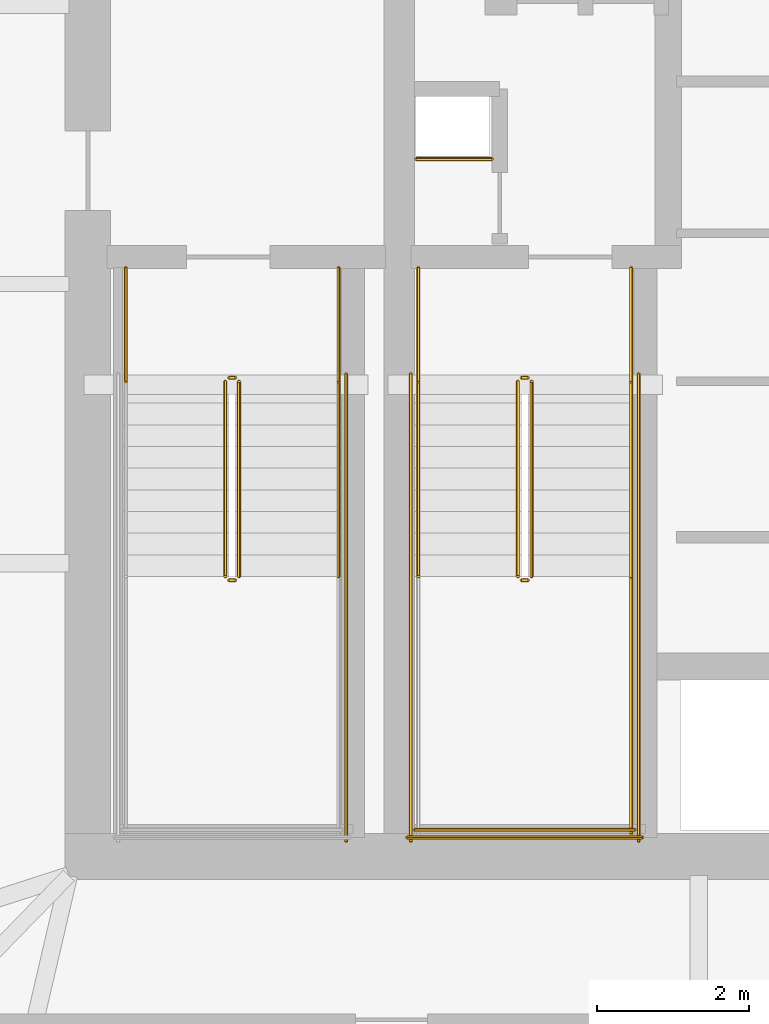
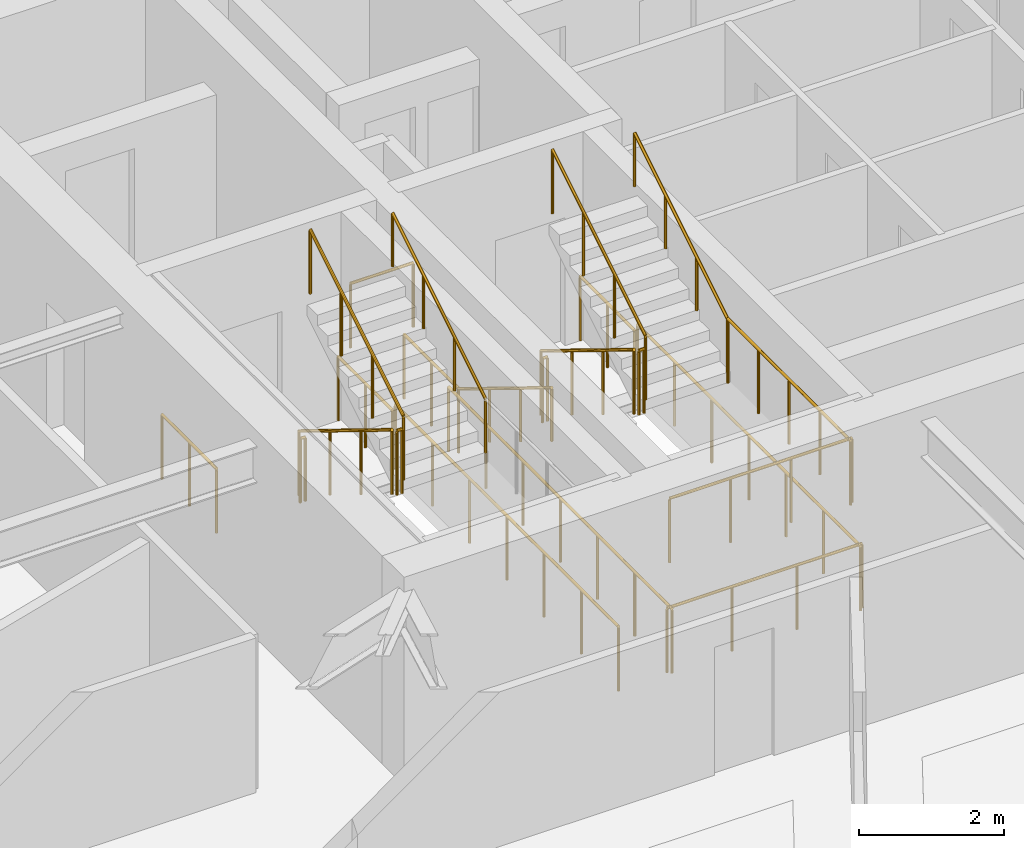
# One storey, part 27 of 30: 22 railings.
"""IFC4 building model written with IfcOpenShell, lengths in metres."""

from ifc_helpers import new_model, si_unit, direction, frame, origin, origin_2d, place, context, subcontext, project, spatial, circle, extrude, material, type_object, element, save


model = new_model("IFC4")

# Units and contexts
model_context = context("Model", 3, precision=1e-05, world=origin(), true_north=direction((0.0, 1.0)))
body_context = subcontext(model_context, "Body", "Model", "MODEL_VIEW")
ifc_project = project(units=[si_unit("LENGTHUNIT", "METRE"), si_unit("AREAUNIT", "SQUARE_METRE"), si_unit("VOLUMEUNIT", "CUBIC_METRE"), si_unit("PLANEANGLEUNIT", "RADIAN"), si_unit("MASSUNIT", "GRAM", prefix="KILO")], contexts=[model_context])

# Site, building, storey
site_placement = place(None, origin())
site = spatial("IfcSite", under=ifc_project, at=site_placement, CompositionType="ELEMENT")
building_placement = place(site_placement, origin())
building = spatial("IfcBuilding", under=site, at=building_placement, Name="Bramvorn Convention Spire", CompositionType="ELEMENT")
storey_placement = place(building_placement, frame((0.0, 0.0, 90.39990234375)))
storey = spatial("IfcBuildingStorey", under=building, at=storey_placement, Name="L21", CompositionType="ELEMENT", Elevation=90.39990234375)

# Railings
ifc_material_1 = material(Name="Painted Steel Balustrade & Guardrail", Category="steel")
railing_type_1 = type_object("IfcRailingType", Name="RL-STAIR-GUARD-1100", PredefinedType="GUARDRAIL", material=ifc_material_1)
railing_1_placement = place(storey_placement, frame((28.81005859375, 25.050048828125, 0.175048828125)))
element("IfcRailing", 1, at=railing_1_placement, inside=storey, type_object=railing_type_1, Name="L21 ST1 stair guard 1", PredefinedType="GUARDRAIL", context=body_context, shape_type="SweptSolid", body=[
    extrude(circle(Radius=0.02392578125, at=origin_2d()), frame((0.0, 0.0, 1.076171875), z_axis=(0.0, -0.852173129349, 0.523259933127), x_axis=(1.0, 0.0, 0.0)), (0.0, 0.0, 1.0), 3.009765625),
    extrude(circle(Radius=0.02099609375, at=origin_2d()), origin(), (0.0, 0.0, 1.0), 1.052001953125),
    extrude(circle(Radius=0.02099609375, at=origin_2d()), frame((0.0, -0.85498046875, 0.52490234375)), (0.0, 0.0, 1.0), 1.052001953125),
    extrude(circle(Radius=0.02099609375, at=origin_2d()), frame((0.0, -1.7099609375, 1.050048828125)), (0.0, 0.0, 1.0), 1.052001953125),
    extrude(circle(Radius=0.02099609375, at=origin_2d()), frame((0.0, -2.56494140625, 1.574951171875)), (0.0, 0.0, 1.0), 1.052001953125),
])
railing_2_placement = place(storey_placement, frame((28.860107421875, 22.43505859375, 1.75)))
element("IfcRailing", 2, at=railing_2_placement, inside=storey, type_object=railing_type_1, Name="L21 ST1 stair guard 2", PredefinedType="GUARDRAIL", context=body_context, shape_type="SweptSolid", body=[
    extrude(circle(Radius=0.02392578125, at=origin_2d()), frame((0.0, 0.0, 1.076171875), z_axis=(1.0, 0.0, 0.0), x_axis=(0.0, 1.0, 0.0)), (0.0, 0.0, 1.0), 0.079833984375),
    extrude(circle(Radius=0.02099609375, at=origin_2d()), origin(), (0.0, 0.0, 1.0), 1.052001953125),
    extrude(circle(Radius=0.02099609375, at=origin_2d()), frame((0.079833984375, 0.0, 0.0)), (0.0, 0.0, 1.0), 1.052001953125),
])
railing_3_placement = place(storey_placement, frame((28.989990234375, 22.485107421875, 1.925048828125)))
element("IfcRailing", 3, at=railing_3_placement, inside=storey, type_object=railing_type_1, Name="L21 ST1 stair guard 6", PredefinedType="GUARDRAIL", context=body_context, shape_type="SweptSolid", body=[
    extrude(circle(Radius=0.02392578125, at=origin_2d()), frame((0.0, 0.0, 1.076171875), z_axis=(0.0, 0.852173129349, 0.523259933127), x_axis=(-1.0, 0.0, 0.0)), (0.0, 0.0, 1.0), 3.009765625),
    extrude(circle(Radius=0.02099609375, at=origin_2d()), origin(), (0.0, 0.0, 1.0), 1.052001953125),
    extrude(circle(Radius=0.02099609375, at=origin_2d()), frame((0.0, 0.85498046875, 0.52490234375)), (0.0, 0.0, 1.0), 1.052001953125),
    extrude(circle(Radius=0.02099609375, at=origin_2d()), frame((0.0, 1.7099609375, 1.050048828125)), (0.0, 0.0, 1.0), 1.052001953125),
    extrude(circle(Radius=0.02099609375, at=origin_2d()), frame((0.0, 2.56494140625, 1.574951171875)), (0.0, 0.0, 1.0), 1.052001953125),
])
railing_4_placement = place(storey_placement, frame((28.860107421875, 25.10009765625, 0.0)))
element("IfcRailing", 4, at=railing_4_placement, inside=storey, type_object=railing_type_1, Name="L21 ST1 stair guard 7", PredefinedType="GUARDRAIL", context=body_context, shape_type="SweptSolid", body=[
    extrude(circle(Radius=0.02392578125, at=origin_2d()), frame((0.0, 0.0, 1.076171875), z_axis=(1.0, 0.0, 0.0), x_axis=(0.0, 1.0, 0.0)), (0.0, 0.0, 1.0), 0.079833984375),
    extrude(circle(Radius=0.02099609375, at=origin_2d()), origin(), (0.0, 0.0, 1.0), 1.052001953125),
    extrude(circle(Radius=0.02099609375, at=origin_2d()), frame((0.079833984375, 0.0, 0.0)), (0.0, 0.0, 1.0), 1.052001953125),
])
for number, where, name in (
    (5, (27.5, 26.550048828125, 0.0), "L21 ST1 stair guard 8"),
    (6, (30.300048828125, 26.550048828125, 0.0), "L21 ST1 stair guard 9"),
):
    element("IfcRailing", number, at=place(storey_placement, frame(where)), inside=storey, type_object=railing_type_1, Name=name, PredefinedType="GUARDRAIL", context=body_context, shape_type="SweptSolid", body=[
        extrude(circle(Radius=0.02392578125, at=origin_2d()), frame((0.0, 0.0, 1.076171875), z_axis=(0.0, -1.0, 0.0), x_axis=(1.0, 0.0, 0.0)), (0.0, 0.0, 1.0), 1.5),
        extrude(circle(Radius=0.02099609375, at=origin_2d()), origin(), (0.0, 0.0, 1.0), 1.052001953125),
        extrude(circle(Radius=0.02099609375, at=origin_2d()), frame((0.0, -0.75, 0.0)), (0.0, 0.0, 1.0), 1.052001953125),
        extrude(circle(Radius=0.02099609375, at=origin_2d()), frame((0.0, -1.5, 0.0)), (0.0, 0.0, 1.0), 1.052001953125),
    ])
railing_5_placement = place(storey_placement, frame((30.39990234375, 25.14990234375, 0.0)))
element("IfcRailing", 7, at=railing_5_placement, inside=storey, type_object=railing_type_1, Name="L21 ST1 stair guard 11", PredefinedType="GUARDRAIL", context=body_context, shape_type="SweptSolid", body=[
    extrude(circle(Radius=0.02392578125, at=origin_2d()), frame((0.0, 0.0, 1.076171875), z_axis=(0.0, -1.0, 0.0), x_axis=(1.0, 0.0, 0.0)), (0.0, 0.0, 1.0), 6.14990234375),
    extrude(circle(Radius=0.02099609375, at=origin_2d()), origin(), (0.0, 0.0, 1.0), 1.052001953125),
    extrude(circle(Radius=0.02099609375, at=origin_2d()), frame((0.0, -1.02490234375, 0.0)), (0.0, 0.0, 1.0), 1.052001953125),
    extrude(circle(Radius=0.02099609375, at=origin_2d()), frame((0.0, -2.050048828125, 0.0)), (0.0, 0.0, 1.0), 1.052001953125),
    extrude(circle(Radius=0.02099609375, at=origin_2d()), frame((0.0, -3.074951171875, 0.0)), (0.0, 0.0, 1.0), 1.052001953125),
    extrude(circle(Radius=0.02099609375, at=origin_2d()), frame((0.0, -4.099853515625, 0.0)), (0.0, 0.0, 1.0), 1.052001953125),
    extrude(circle(Radius=0.02099609375, at=origin_2d()), frame((0.0, -5.125, 0.0)), (0.0, 0.0, 1.0), 1.052001953125),
    extrude(circle(Radius=0.02099609375, at=origin_2d()), frame((0.0, -6.14990234375, 0.0)), (0.0, 0.0, 1.0), 1.052001953125),
])
railing_6_placement = place(storey_placement, frame((32.659912109375, 25.050048828125, 0.175048828125)))
element("IfcRailing", 8, at=railing_6_placement, inside=storey, type_object=railing_type_1, Name="L21 ST3 stair guard 1", PredefinedType="GUARDRAIL", context=body_context, shape_type="SweptSolid", body=[
    extrude(circle(Radius=0.02392578125, at=origin_2d()), frame((0.0, 0.0, 1.076171875), z_axis=(0.0, -0.852173129349, 0.523259933127), x_axis=(1.0, 0.0, 0.0)), (0.0, 0.0, 1.0), 3.009765625),
    extrude(circle(Radius=0.02099609375, at=origin_2d()), origin(), (0.0, 0.0, 1.0), 1.052001953125),
    extrude(circle(Radius=0.02099609375, at=origin_2d()), frame((0.0, -0.85498046875, 0.52490234375)), (0.0, 0.0, 1.0), 1.052001953125),
    extrude(circle(Radius=0.02099609375, at=origin_2d()), frame((0.0, -1.7099609375, 1.050048828125)), (0.0, 0.0, 1.0), 1.052001953125),
    extrude(circle(Radius=0.02099609375, at=origin_2d()), frame((0.0, -2.56494140625, 1.574951171875)), (0.0, 0.0, 1.0), 1.052001953125),
])
railing_7_placement = place(storey_placement, frame((32.7099609375, 22.43505859375, 1.75)))
element("IfcRailing", 9, at=railing_7_placement, inside=storey, type_object=railing_type_1, Name="L21 ST3 stair guard 2", PredefinedType="GUARDRAIL", context=body_context, shape_type="SweptSolid", body=[
    extrude(circle(Radius=0.02392578125, at=origin_2d()), frame((0.0, 0.0, 1.076171875), z_axis=(1.0, 0.0, 0.0), x_axis=(0.0, 1.0, 0.0)), (0.0, 0.0, 1.0), 0.080078125),
    extrude(circle(Radius=0.02099609375, at=origin_2d()), origin(), (0.0, 0.0, 1.0), 1.052001953125),
    extrude(circle(Radius=0.02099609375, at=origin_2d()), frame((0.080078125, 0.0, 0.0)), (0.0, 0.0, 1.0), 1.052001953125),
])
railing_8_placement = place(storey_placement, frame((34.14990234375, 22.485107421875, 1.75)))
element("IfcRailing", 10, at=railing_8_placement, inside=storey, type_object=railing_type_1, Name="L21 ST3 stair guard 4", PredefinedType="GUARDRAIL", context=body_context, shape_type="SweptSolid", body=[
    extrude(circle(Radius=0.02392578125, at=origin_2d()), frame((0.0, 0.0, 1.076171875), z_axis=(0.0, -1.0, 0.0), x_axis=(1.0, 0.0, 0.0)), (0.0, 0.0, 1.0), 3.385009765625),
    extrude(circle(Radius=0.02099609375, at=origin_2d()), origin(), (0.0, 0.0, 1.0), 1.052001953125),
    extrude(circle(Radius=0.02099609375, at=origin_2d()), frame((0.0, -0.84619140625, 0.0)), (0.0, 0.0, 1.0), 1.052001953125),
    extrude(circle(Radius=0.02099609375, at=origin_2d()), frame((0.0, -1.6923828125, 0.0)), (0.0, 0.0, 1.0), 1.052001953125),
    extrude(circle(Radius=0.02099609375, at=origin_2d()), frame((0.0, -2.538818359375, 0.0)), (0.0, 0.0, 1.0), 1.052001953125),
    extrude(circle(Radius=0.02099609375, at=origin_2d()), frame((0.0, -3.385009765625, 0.0)), (0.0, 0.0, 1.0), 1.052001953125),
])
railing_9_placement = place(storey_placement, frame((31.300048828125, 19.14990234375, 1.75)))
element("IfcRailing", 11, at=railing_9_placement, inside=storey, type_object=railing_type_1, Name="L21 ST3 stair guard 5", PredefinedType="GUARDRAIL", context=body_context, shape_type="SweptSolid", body=[
    extrude(circle(Radius=0.02392578125, at=origin_2d()), frame((0.0, 0.0, 1.076171875), z_axis=(1.0, 0.0, 0.0), x_axis=(0.0, 1.0, 0.0)), (0.0, 0.0, 1.0), 2.89990234375),
    extrude(circle(Radius=0.02099609375, at=origin_2d()), origin(), (0.0, 0.0, 1.0), 1.052001953125),
    extrude(circle(Radius=0.02099609375, at=origin_2d()), frame((0.966552734375, 0.0, 0.0)), (0.0, 0.0, 1.0), 1.052001953125),
    extrude(circle(Radius=0.02099609375, at=origin_2d()), frame((1.933349609375, 0.0, 0.0)), (0.0, 0.0, 1.0), 1.052001953125),
    extrude(circle(Radius=0.02099609375, at=origin_2d()), frame((2.89990234375, 0.0, 0.0)), (0.0, 0.0, 1.0), 1.052001953125),
])
railing_10_placement = place(storey_placement, frame((32.840087890625, 22.485107421875, 1.925048828125)))
element("IfcRailing", 12, at=railing_10_placement, inside=storey, type_object=railing_type_1, Name="L21 ST3 stair guard 6", PredefinedType="GUARDRAIL", context=body_context, shape_type="SweptSolid", body=[
    extrude(circle(Radius=0.02392578125, at=origin_2d()), frame((0.0, 0.0, 1.076171875), z_axis=(0.0, 0.852173129349, 0.523259933127), x_axis=(-1.0, 0.0, 0.0)), (0.0, 0.0, 1.0), 3.009765625),
    extrude(circle(Radius=0.02099609375, at=origin_2d()), origin(), (0.0, 0.0, 1.0), 1.052001953125),
    extrude(circle(Radius=0.02099609375, at=origin_2d()), frame((0.0, 0.85498046875, 0.52490234375)), (0.0, 0.0, 1.0), 1.052001953125),
    extrude(circle(Radius=0.02099609375, at=origin_2d()), frame((0.0, 1.7099609375, 1.050048828125)), (0.0, 0.0, 1.0), 1.052001953125),
    extrude(circle(Radius=0.02099609375, at=origin_2d()), frame((0.0, 2.56494140625, 1.574951171875)), (0.0, 0.0, 1.0), 1.052001953125),
])
railing_11_placement = place(storey_placement, frame((32.7099609375, 25.10009765625, 0.0)))
element("IfcRailing", 13, at=railing_11_placement, inside=storey, type_object=railing_type_1, Name="L21 ST3 stair guard 7", PredefinedType="GUARDRAIL", context=body_context, shape_type="SweptSolid", body=[
    extrude(circle(Radius=0.02392578125, at=origin_2d()), frame((0.0, 0.0, 1.076171875), z_axis=(1.0, 0.0, 0.0), x_axis=(0.0, 1.0, 0.0)), (0.0, 0.0, 1.0), 0.080078125),
    extrude(circle(Radius=0.02099609375, at=origin_2d()), origin(), (0.0, 0.0, 1.0), 1.052001953125),
    extrude(circle(Radius=0.02099609375, at=origin_2d()), frame((0.080078125, 0.0, 0.0)), (0.0, 0.0, 1.0), 1.052001953125),
])
for number, where, name in (
    (14, (31.35009765625, 26.550048828125, 0.0), "L21 ST3 stair guard 8"),
    (15, (34.14990234375, 26.550048828125, 0.0), "L21 ST3 stair guard 9"),
):
    element("IfcRailing", number, at=place(storey_placement, frame(where)), inside=storey, type_object=railing_type_1, Name=name, PredefinedType="GUARDRAIL", context=body_context, shape_type="SweptSolid", body=[
        extrude(circle(Radius=0.02392578125, at=origin_2d()), frame((0.0, 0.0, 1.076171875), z_axis=(0.0, -1.0, 0.0), x_axis=(1.0, 0.0, 0.0)), (0.0, 0.0, 1.0), 1.5),
        extrude(circle(Radius=0.02099609375, at=origin_2d()), origin(), (0.0, 0.0, 1.0), 1.052001953125),
        extrude(circle(Radius=0.02099609375, at=origin_2d()), frame((0.0, -0.75, 0.0)), (0.0, 0.0, 1.0), 1.052001953125),
        extrude(circle(Radius=0.02099609375, at=origin_2d()), frame((0.0, -1.5, 0.0)), (0.0, 0.0, 1.0), 1.052001953125),
    ])
for number, where, name in (
    (16, (31.25, 25.14990234375, 0.0), "L21 ST3 stair guard 10"),
    (17, (34.25, 25.14990234375, 0.0), "L21 ST3 stair guard 11"),
):
    element("IfcRailing", number, at=place(storey_placement, frame(where)), inside=storey, type_object=railing_type_1, Name=name, PredefinedType="GUARDRAIL", context=body_context, shape_type="SweptSolid", body=[
        extrude(circle(Radius=0.02392578125, at=origin_2d()), frame((0.0, 0.0, 1.076171875), z_axis=(0.0, -1.0, 0.0), x_axis=(1.0, 0.0, 0.0)), (0.0, 0.0, 1.0), 6.14990234375),
        extrude(circle(Radius=0.02099609375, at=origin_2d()), origin(), (0.0, 0.0, 1.0), 1.052001953125),
        extrude(circle(Radius=0.02099609375, at=origin_2d()), frame((0.0, -1.02490234375, 0.0)), (0.0, 0.0, 1.0), 1.052001953125),
        extrude(circle(Radius=0.02099609375, at=origin_2d()), frame((0.0, -2.050048828125, 0.0)), (0.0, 0.0, 1.0), 1.052001953125),
        extrude(circle(Radius=0.02099609375, at=origin_2d()), frame((0.0, -3.074951171875, 0.0)), (0.0, 0.0, 1.0), 1.052001953125),
        extrude(circle(Radius=0.02099609375, at=origin_2d()), frame((0.0, -4.099853515625, 0.0)), (0.0, 0.0, 1.0), 1.052001953125),
        extrude(circle(Radius=0.02099609375, at=origin_2d()), frame((0.0, -5.125, 0.0)), (0.0, 0.0, 1.0), 1.052001953125),
        extrude(circle(Radius=0.02099609375, at=origin_2d()), frame((0.0, -6.14990234375, 0.0)), (0.0, 0.0, 1.0), 1.052001953125),
    ])
railing_12_placement = place(storey_placement, frame((31.199951171875, 19.050048828125, 0.0)))
element("IfcRailing", 18, at=railing_12_placement, inside=storey, type_object=railing_type_1, Name="L21 ST3 stair guard 12", PredefinedType="GUARDRAIL", context=body_context, shape_type="SweptSolid", body=[
    extrude(circle(Radius=0.02392578125, at=origin_2d()), frame((0.0, 0.0, 1.076171875), z_axis=(1.0, 0.0, 0.0), x_axis=(0.0, 1.0, 0.0)), (0.0, 0.0, 1.0), 3.10009765625),
    extrude(circle(Radius=0.02099609375, at=origin_2d()), origin(), (0.0, 0.0, 1.0), 1.052001953125),
    extrude(circle(Radius=0.02099609375, at=origin_2d()), frame((1.033447265625, 0.0, 0.0)), (0.0, 0.0, 1.0), 1.052001953125),
    extrude(circle(Radius=0.02099609375, at=origin_2d()), frame((2.066650390625, 0.0, 0.0)), (0.0, 0.0, 1.0), 1.052001953125),
    extrude(circle(Radius=0.02099609375, at=origin_2d()), frame((3.10009765625, 0.0, 0.0)), (0.0, 0.0, 1.0), 1.052001953125),
])
railing_13_placement = place(storey_placement, frame((31.320068359375, 27.97998046875, 0.0)))
element("IfcRailing", 19, at=railing_13_placement, inside=storey, type_object=railing_type_1, Name="L21 Telecom riser shaft opening safety guardrail", PredefinedType="GUARDRAIL", context=body_context, shape_type="SweptSolid", body=[
    extrude(circle(Radius=0.02392578125, at=origin_2d()), frame((0.0, 0.0, 1.076171875), z_axis=(1.0, 0.0, 0.0), x_axis=(0.0, 1.0, 0.0)), (0.0, 0.0, 1.0), 1.0),
    extrude(circle(Radius=0.02099609375, at=origin_2d()), origin(), (0.0, 0.0, 1.0), 1.052001953125),
    extrude(circle(Radius=0.02099609375, at=origin_2d()), frame((1.0, 0.0, 0.0)), (0.0, 0.0, 1.0), 1.052001953125),
])
ifc_material_2 = material(Name="Brushed Bronze Tubular Handrail", Category="aluminium")
railing_type_2 = type_object("IfcRailingType", Name="RL-STAIR-HR-920", PredefinedType="HANDRAIL", material=ifc_material_2)
railing_14_placement = place(storey_placement, frame((30.300048828125, 22.485107421875, 1.925048828125)))
element("IfcRailing", 20, at=railing_14_placement, inside=storey, type_object=railing_type_2, Name="L21 ST1 stair handrail 2", PredefinedType="HANDRAIL", context=body_context, shape_type="SweptSolid", body=[
    extrude(circle(Radius=0.02392578125, at=origin_2d()), frame((0.0, 0.0, 0.89599609375), z_axis=(0.0, 0.852173129349, 0.523259933127), x_axis=(-1.0, 0.0, 0.0)), (0.0, 0.0, 1.0), 3.009765625),
    extrude(circle(Radius=0.02099609375, at=origin_2d()), origin(), (0.0, 0.0, 1.0), 0.871826171875),
    extrude(circle(Radius=0.02099609375, at=origin_2d()), frame((0.0, 0.85498046875, 0.52490234375)), (0.0, 0.0, 1.0), 0.871826171875),
    extrude(circle(Radius=0.02099609375, at=origin_2d()), frame((0.0, 1.7099609375, 1.050048828125)), (0.0, 0.0, 1.0), 0.871826171875),
    extrude(circle(Radius=0.02099609375, at=origin_2d()), frame((0.0, 2.56494140625, 1.574951171875)), (0.0, 0.0, 1.0), 0.871826171875),
])
railing_15_placement = place(storey_placement, frame((31.35009765625, 25.050048828125, 0.175048828125)))
element("IfcRailing", 21, at=railing_15_placement, inside=storey, type_object=railing_type_2, Name="L21 ST3 stair handrail 1", PredefinedType="HANDRAIL", context=body_context, shape_type="SweptSolid", body=[
    extrude(circle(Radius=0.02392578125, at=origin_2d()), frame((0.0, 0.0, 0.89599609375), z_axis=(0.0, -0.852173129349, 0.523259933127), x_axis=(1.0, 0.0, 0.0)), (0.0, 0.0, 1.0), 3.009765625),
    extrude(circle(Radius=0.02099609375, at=origin_2d()), origin(), (0.0, 0.0, 1.0), 0.871826171875),
    extrude(circle(Radius=0.02099609375, at=origin_2d()), frame((0.0, -0.85498046875, 0.52490234375)), (0.0, 0.0, 1.0), 0.871826171875),
    extrude(circle(Radius=0.02099609375, at=origin_2d()), frame((0.0, -1.7099609375, 1.050048828125)), (0.0, 0.0, 1.0), 0.871826171875),
    extrude(circle(Radius=0.02099609375, at=origin_2d()), frame((0.0, -2.56494140625, 1.574951171875)), (0.0, 0.0, 1.0), 0.871826171875),
])
railing_16_placement = place(storey_placement, frame((34.14990234375, 22.485107421875, 1.925048828125)))
element("IfcRailing", 22, at=railing_16_placement, inside=storey, type_object=railing_type_2, Name="L21 ST3 stair handrail 2", PredefinedType="HANDRAIL", context=body_context, shape_type="SweptSolid", body=[
    extrude(circle(Radius=0.02392578125, at=origin_2d()), frame((0.0, 0.0, 0.89599609375), z_axis=(0.0, 0.852173129349, 0.523259933127), x_axis=(-1.0, 0.0, 0.0)), (0.0, 0.0, 1.0), 3.009765625),
    extrude(circle(Radius=0.02099609375, at=origin_2d()), origin(), (0.0, 0.0, 1.0), 0.871826171875),
    extrude(circle(Radius=0.02099609375, at=origin_2d()), frame((0.0, 0.85498046875, 0.52490234375)), (0.0, 0.0, 1.0), 0.871826171875),
    extrude(circle(Radius=0.02099609375, at=origin_2d()), frame((0.0, 1.7099609375, 1.050048828125)), (0.0, 0.0, 1.0), 0.871826171875),
    extrude(circle(Radius=0.02099609375, at=origin_2d()), frame((0.0, 2.56494140625, 1.574951171875)), (0.0, 0.0, 1.0), 0.871826171875),
])

save(model, "model.ifc")
